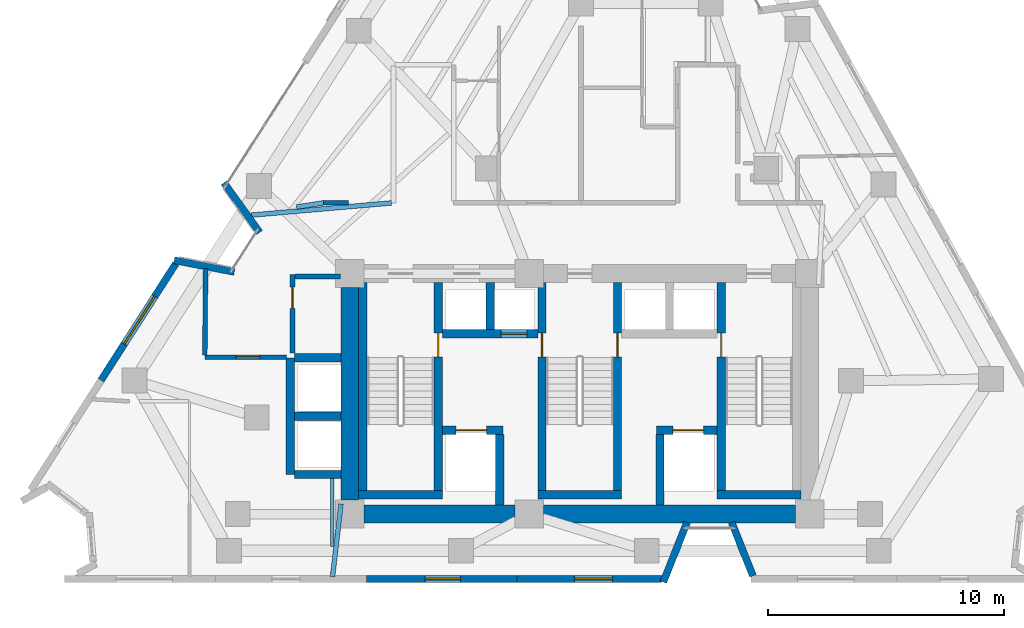
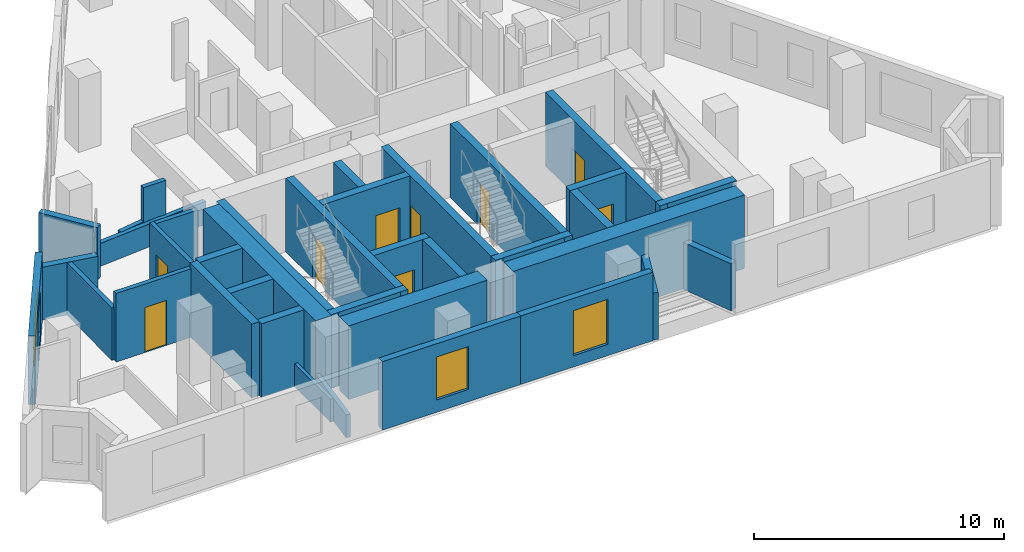
# One storey, part 5 of 10: 37 walls, 9 doors, 3 windows, 12 openings.
"""IFC4 building model written with IfcOpenShell, lengths in metres."""

from ifc_helpers import new_model, si_unit, direction, frame, frame_2d, origin, place, context, subcontext, project, spatial, rectangle, extrude, material, layer, layer_set, type_object, element, fill, save


model = new_model("IFC4")

# Units and contexts
model_context = context("Model", 3, precision=1e-05, world=origin(), true_north=direction((0.0, 1.0)))
body_context = subcontext(model_context, "Body", "Model", "MODEL_VIEW")
ifc_project = project(units=[si_unit("LENGTHUNIT", "METRE"), si_unit("AREAUNIT", "SQUARE_METRE"), si_unit("VOLUMEUNIT", "CUBIC_METRE"), si_unit("PLANEANGLEUNIT", "RADIAN"), si_unit("MASSUNIT", "GRAM", prefix="KILO")], contexts=[model_context])

# Site, building, storey
site_placement = place(None, origin())
site = spatial("IfcSite", under=ifc_project, at=site_placement, CompositionType="ELEMENT")
building_placement = place(site_placement, origin())
building = spatial("IfcBuilding", under=site, at=building_placement, Name="Almagre Mirador Tower", CompositionType="ELEMENT")
storey_placement = place(building_placement, frame((0.0, 0.0, 171.60009765625)))
storey = spatial("IfcBuildingStorey", under=building, at=storey_placement, Name="L44", CompositionType="ELEMENT", Elevation=171.60009765625)

# Walls
ifc_material_1 = material(Name="Precast concrete C50/60", Category="concrete")
ifc_layer_1 = layer(ifc_material_1, 0.300048828125)
ifc_layer_set_1 = layer_set([ifc_layer_1], Name="Precast concrete C50/60")
wall_type_1 = type_object("IfcWallType", Name="WAL-EXT-300", PredefinedType="SOLIDWALL", material=ifc_layer_set_1)
wall_1_placement = place(storey_placement, frame((20.103515625, 15.3125, 0.0), z_axis=(0.0, 0.0, 1.0), x_axis=(0.98176398898, -0.190103839891, 0.0)))
element("IfcWall", 1, at=wall_1_placement, inside=storey, type_object=wall_type_1, Name="L44 expressed almagre precast frame wall 01", PredefinedType="SOLIDWALL", context=body_context, shape_type="SweptSolid", body=[
    extrude(rectangle(XDim=2.59423828125, YDim=0.300048828125, at=frame_2d((1.297119140625, 0.0))), origin(), (0.0, 0.0, 1.0), 2.574951171875),
])
wall_2_placement = place(storey_placement, frame((23.72265625, 16.4921875, 0.0), z_axis=(0.0, 0.0, 1.0), x_axis=(-0.583178108206, 0.812344319922, 0.0)))
element("IfcWall", 2, at=wall_2_placement, inside=storey, type_object=wall_type_1, Name="L44 expressed almagre precast frame wall 02", PredefinedType="SOLIDWALL", context=body_context, shape_type="SweptSolid", body=[
    extrude(rectangle(XDim=2.593017578125, YDim=0.300048828125, at=frame_2d((1.29638671875, 0.0))), origin(), (0.0, 0.0, 1.0), 2.574951171875),
])
wall_3_placement = place(storey_placement, frame((44.64013671875, 1.93017578125, 0.0), z_axis=(0.0, 0.0, 1.0), x_axis=(-0.369476217581, 0.929240186734, 0.0)))
element("IfcWall", 3, at=wall_3_placement, inside=storey, type_object=wall_type_1, Name="L44 expressed almagre precast frame wall 23", PredefinedType="SOLIDWALL", context=body_context, shape_type="SweptSolid", body=[
    extrude(rectangle(XDim=2.441650390625, YDim=0.300048828125, at=frame_2d((1.220703125, 0.0))), origin(), (0.0, 0.0, 1.0), 2.2998046875),
])
wall_4_placement = place(storey_placement, frame((41.845947265625, 4.198974609375, 0.0), z_axis=(0.0, 0.0, 1.0), x_axis=(-0.369487569888, -0.929235672851, 0.0)))
element("IfcWall", 4, at=wall_4_placement, inside=storey, type_object=wall_type_1, Name="L44 expressed almagre precast frame wall 24", PredefinedType="SOLIDWALL", context=body_context, shape_type="SweptSolid", body=[
    extrude(rectangle(XDim=2.7216796875, YDim=0.300048828125, at=frame_2d((1.36083984375, 0.0))), origin(), (0.0, 0.0, 1.0), 2.2998046875),
])

# Wall, opening, window
wall_5_placement = place(storey_placement, frame((40.757080078125, 1.800048828125, 0.0), z_axis=(0.0, 0.0, 1.0), x_axis=(-1.0, 0.0, 0.0)))
wall_5 = element("IfcWall", 5, at=wall_5_placement, inside=storey, type_object=wall_type_1, Name="L44 expressed almagre precast frame wall 25", PredefinedType="SOLIDWALL", context=body_context, shape_type="SweptSolid", body=[
    extrude(rectangle(XDim=6.1181640625, YDim=0.300048828125, at=frame_2d((3.05908203125, 0.0))), origin(), (0.0, 0.0, 1.0), 3.349853515625),
])
opening_1_placement = place(wall_5_placement, frame((2.074951171875, 0.0, 0.550048828125)))
opening_1 = element("IfcOpeningElement", 6, at=opening_1_placement, cuts=wall_5, Name="Opening WN-06", PredefinedType="OPENING", context=body_context, shape_type="SweptSolid", body=[
    extrude(rectangle(XDim=1.60009765625, YDim=2.199951171875, at=frame_2d((0.800048828125, 1.10009765625))), frame((0.0, 0.159902, 0.0), z_axis=(0.0, -1.0, 0.0), x_axis=(1.0, 0.0, 0.0)), (0.0, 0.0, 1.0), 0.320049),
])
ifc_material_2 = material(Name="Dark solar-control laminated hurricane glass", Category="glass")
window_type_1 = type_object("IfcWindowType", Name="WIN-1600X2200", PartitioningType="DOUBLE_PANEL_VERTICAL", PredefinedType="WINDOW", material=ifc_material_2)
window_1_placement = place(opening_1_placement, origin())
window_1 = element("IfcWindow", 7, at=window_1_placement, inside=storey, type_object=window_type_1, Name="L44 recessed hurricane window L44-RST-B", OverallHeight=2.199951171875, OverallWidth=1.60009765625, PartitioningType="SINGLE_PANEL", PredefinedType="WINDOW", context=body_context, shape_type="SweptSolid", body=[
    extrude(rectangle(XDim=1.60009765625, YDim=2.199951171875, at=frame_2d((0.800048828125, 1.10009765625))), frame((0.0, 0.030029296875, 0.0), z_axis=(0.0, -1.0, 0.0), x_axis=(1.0, 0.0, 0.0)), (0.0, 0.0, 1.0), 0.06005859375),
])
fill(opening_1, window_1)

wall_6_placement = place(storey_placement, frame((34.638916015625, 1.800048828125, 0.0), z_axis=(0.0, 0.0, 1.0), x_axis=(-1.0, 0.0, 0.0)))
wall_6 = element("IfcWall", 8, at=wall_6_placement, inside=storey, type_object=wall_type_1, Name="L44 expressed almagre precast frame wall 26", PredefinedType="SOLIDWALL", context=body_context, shape_type="SweptSolid", body=[
    extrude(rectangle(XDim=6.392822265625, YDim=0.300048828125, at=frame_2d((3.1962890625, 0.0))), origin(), (0.0, 0.0, 1.0), 3.349853515625),
])
opening_2_placement = place(wall_6_placement, frame((2.39990234375, 0.0, 0.60009765625)))
opening_2 = element("IfcOpeningElement", 9, at=opening_2_placement, cuts=wall_6, Name="Opening WN-03", PredefinedType="OPENING", context=body_context, shape_type="SweptSolid", body=[
    extrude(rectangle(XDim=1.5, YDim=2.10009765625, at=frame_2d((0.75, 1.050048828125))), frame((0.0, 0.159902, 0.0), z_axis=(0.0, -1.0, 0.0), x_axis=(1.0, 0.0, 0.0)), (0.0, 0.0, 1.0), 0.320049),
])
ifc_material_3 = material(Name="Dark solar-control laminated hurricane glass", Category="glass")
window_type_2 = type_object("IfcWindowType", Name="WIN-1500X2100", PartitioningType="DOUBLE_PANEL_VERTICAL", PredefinedType="WINDOW", material=ifc_material_3)
window_2_placement = place(opening_2_placement, origin())
window_2 = element("IfcWindow", 10, at=window_2_placement, inside=storey, type_object=window_type_2, Name="L44 recessed hurricane window L44-RST-B", OverallHeight=2.10009765625, OverallWidth=1.5, PartitioningType="SINGLE_PANEL", PredefinedType="WINDOW", context=body_context, shape_type="SweptSolid", body=[
    extrude(rectangle(XDim=1.5, YDim=2.10009765625, at=frame_2d((0.75, 1.050048828125))), frame((0.0, 0.030029296875, 0.0), z_axis=(0.0, -1.0, 0.0), x_axis=(1.0, 0.0, 0.0)), (0.0, 0.0, 1.0), 0.06005859375),
])
fill(opening_2, window_2)

wall_7_placement = place(storey_placement, frame((16.99951171875, 10.22705078125, 0.0), z_axis=(0.0, 0.0, 1.0), x_axis=(0.539500668401, 0.841985171363, 0.0)))
wall_7 = element("IfcWall", 11, at=wall_7_placement, inside=storey, type_object=wall_type_1, Name="L44 expressed almagre precast frame wall 34", PredefinedType="SOLIDWALL", context=body_context, shape_type="SweptSolid", body=[
    extrude(rectangle(XDim=5.873291015625, YDim=0.300048828125, at=frame_2d((2.9365234375, 0.0))), origin(), (0.0, 0.0, 1.0), 3.349853515625),
])
opening_3_placement = place(wall_7_placement, frame((1.824951171875, 0.0, 0.60009765625)))
opening_3 = element("IfcOpeningElement", 12, at=opening_3_placement, cuts=wall_7, Name="Opening WN-02", PredefinedType="OPENING", context=body_context, shape_type="SweptSolid", body=[
    extrude(rectangle(XDim=2.39990234375, YDim=2.10009765625, at=frame_2d((1.199951171875, 1.050048828125))), frame((0.0, 0.159902, 0.0), z_axis=(0.0, -1.0, 0.0), x_axis=(1.0, 0.0, 0.0)), (0.0, 0.0, 1.0), 0.320049),
])
ifc_material_4 = material(Name="Dark solar-control laminated hurricane glass", Category="glass")
window_type_3 = type_object("IfcWindowType", Name="WIN-2400X2100", PartitioningType="TRIPLE_PANEL_VERTICAL", PredefinedType="WINDOW", material=ifc_material_4)
window_3_placement = place(opening_3_placement, origin())
window_3 = element("IfcWindow", 13, at=window_3_placement, inside=storey, type_object=window_type_3, Name="L44 recessed hurricane window L44-UA-HB", OverallHeight=2.10009765625, OverallWidth=2.39990234375, PartitioningType="SINGLE_PANEL", PredefinedType="WINDOW", context=body_context, shape_type="SweptSolid", body=[
    extrude(rectangle(XDim=2.39990234375, YDim=2.10009765625, at=frame_2d((1.199951171875, 1.050048828125))), frame((0.0, 0.030029296875, 0.0), z_axis=(0.0, -1.0, 0.0), x_axis=(1.0, 0.0, 0.0)), (0.0, 0.0, 1.0), 0.06005859375),
])
fill(opening_3, window_3)

# Wall
ifc_material_5 = material(Name="Gypsum acoustic stud partition", Category="other")
ifc_layer_2 = layer(ifc_material_5, 0.14990234375)
ifc_layer_set_2 = layer_set([ifc_layer_2], Name="Gypsum acoustic stud partition")
wall_type_2 = type_object("IfcWallType", Name="WAL-PRT-150-STD", PredefinedType="PARTITIONING", material=ifc_layer_set_2)
wall_8_placement = place(storey_placement, frame((26.800048828125, 3.166015625, 0.0), z_axis=(0.0, 0.0, 1.0), x_axis=(0.0, 1.0, 0.0)))
element("IfcWall", 14, at=wall_8_placement, inside=storey, type_object=wall_type_2, Name="L44 interior partition 079", PredefinedType="PARTITIONING", context=body_context, shape_type="SweptSolid", body=[
    extrude(rectangle(XDim=2.89892578125, YDim=0.14990234375, at=frame_2d((1.449462890625, 0.0))), origin(), (0.0, 0.0, 1.0), 1.119873046875),
])

# Wall, opening, door
ifc_material_6 = material(Name="Gypsum acoustic stud partition", Category="other")
ifc_layer_3 = layer(ifc_material_6, 0.199951171875)
ifc_layer_set_3 = layer_set([ifc_layer_3], Name="Gypsum acoustic stud partition")
wall_type_3 = type_object("IfcWallType", Name="WAL-PRT-200-EI60", PredefinedType="PARTITIONING", material=ifc_layer_set_3)
wall_9_placement = place(storey_placement, frame((25.1201171875, 11.3701171875, 0.0), z_axis=(0.0, 0.0, 1.0), x_axis=(0.0, 1.0, 0.0)))
wall_9 = element("IfcWall", 15, at=wall_9_placement, inside=storey, type_object=wall_type_3, Name="L44 core ancillary west wall", PredefinedType="PARTITIONING", context=body_context, shape_type="SweptSolid", body=[
    extrude(rectangle(XDim=3.33984375, YDim=0.199951171875, at=frame_2d((1.669921875, 0.0))), origin(), (0.0, 0.0, 1.0), 3.349853515625),
])
opening_4_placement = place(wall_9_placement, frame((1.89990234375, 0.0, 0.0)))
opening_4 = element("IfcOpeningElement", 16, at=opening_4_placement, cuts=wall_9, Name="Opening ID-03", PredefinedType="OPENING", context=body_context, shape_type="SweptSolid", body=[
    extrude(rectangle(XDim=0.89990234375, YDim=2.10009765625, at=frame_2d((0.449951171875, 1.050048828125))), frame((0.0, 0.110098, 0.0), z_axis=(0.0, -1.0, 0.0), x_axis=(1.0, 0.0, 0.0)), (0.0, 0.0, 1.0), 0.219951),
])
ifc_material_7 = material(Name="Fire-rated hollow steel", Category="steel")
door_type_1 = type_object("IfcDoorType", Name="DOR-FD60-900X2100", OperationType="NOTDEFINED", PredefinedType="DOOR", material=ifc_material_7)
door_1_placement = place(opening_4_placement, origin())
door_1 = element("IfcDoor", 17, at=door_1_placement, inside=storey, type_object=door_type_1, Name="DR-1404 L44 core ancillary corridor door", OperationType="SINGLE_SWING_RIGHT", OverallHeight=2.10009765625, OverallWidth=0.89990234375, PredefinedType="DOOR", context=body_context, shape_type="SweptSolid", body=[
    extrude(rectangle(XDim=0.89990234375, YDim=2.10009765625, at=frame_2d((0.449951171875, 1.050048828125))), frame((0.0, 0.02490234375, 0.0), z_axis=(0.0, -1.0, 0.0), x_axis=(1.0, 0.0, 0.0)), (0.0, 0.0, 1.0), 0.050048828125),
])
fill(opening_4, door_1)

# Wall
wall_10_placement = place(storey_placement, frame((25.22509765625, 14.6201171875, 0.0), z_axis=(0.0, 0.0, 1.0), x_axis=(1.0, 0.0, 0.0)))
element("IfcWall", 18, at=wall_10_placement, inside=storey, type_object=wall_type_3, Name="L44 core ancillary north wall", PredefinedType="PARTITIONING", context=body_context, shape_type="SweptSolid", body=[
    extrude(rectangle(XDim=1.934814453125, YDim=0.199951171875, at=frame_2d((0.96728515625, 0.0))), origin(), (0.0, 0.0, 1.0), 3.349853515625),
])

# Wall, opening, door
wall_11_placement = place(storey_placement, frame((21.39990234375, 11.199951171875, 0.0), z_axis=(0.0, 0.0, 1.0), x_axis=(1.0, 0.0, 0.0)))
wall_11 = element("IfcWall", 19, at=wall_11_placement, inside=storey, type_object=wall_type_3, Name="L44 interior partition 002", PredefinedType="PARTITIONING", context=body_context, shape_type="SweptSolid", body=[
    extrude(rectangle(XDim=3.46923828125, YDim=0.199951171875, at=frame_2d((1.734619140625, 0.0))), origin(), (0.0, 0.0, 1.0), 3.349853515625),
])
opening_5_placement = place(wall_11_placement, frame((1.334716796875, 0.0, 0.0)))
opening_5 = element("IfcOpeningElement", 20, at=opening_5_placement, cuts=wall_11, Name="Opening ID-01", PredefinedType="OPENING", context=body_context, shape_type="SweptSolid", body=[
    extrude(rectangle(XDim=1.0, YDim=2.199951171875, at=frame_2d((0.5, 1.10009765625))), frame((0.0, 0.110098, 0.0), z_axis=(0.0, -1.0, 0.0), x_axis=(1.0, 0.0, 0.0)), (0.0, 0.0, 1.0), 0.219951),
])
ifc_material_8 = material(Name="Fire-rated walnut timber", Category="wood")
door_type_2 = type_object("IfcDoorType", Name="DOR-FD60-1000X2200", OperationType="NOTDEFINED", PredefinedType="DOOR", material=ifc_material_8)
door_2_placement = place(opening_5_placement, origin())
door_2 = element("IfcDoor", 21, at=door_2_placement, inside=storey, type_object=door_type_2, Name="DR-1409 L44 interior door L44-RCOR to L44-UA-LV", OperationType="SINGLE_SWING_LEFT", OverallHeight=2.199951171875, OverallWidth=1.0, PredefinedType="DOOR", context=body_context, shape_type="SweptSolid", body=[
    extrude(rectangle(XDim=1.0, YDim=2.199951171875, at=frame_2d((0.5, 1.10009765625))), frame((0.0, 0.02490234375, 0.0), z_axis=(0.0, -1.0, 0.0), x_axis=(1.0, 0.0, 0.0)), (0.0, 0.0, 1.0), 0.050048828125),
])
fill(opening_5, door_2)

# Walls
wall_12_placement = place(storey_placement, frame((26.43994140625, 17.75, 0.0), z_axis=(0.0, 0.0, 1.0), x_axis=(-0.987406566655, -0.158203262061, 0.0)))
element("IfcWall", 22, at=wall_12_placement, inside=storey, type_object=wall_type_3, Name="L44 interior partition 007", PredefinedType="PARTITIONING", context=body_context, shape_type="SweptSolid", body=[
    extrude(rectangle(XDim=1.16357421875, YDim=0.199951171875, at=frame_2d((0.581787109375, 0.0))), origin(), (0.0, 0.0, 1.0), 1.119873046875),
])
wall_13_placement = place(storey_placement, frame((27.487060546875, 17.75, 0.0), z_axis=(0.0, 0.0, 1.0), x_axis=(-1.0, 0.0, 0.0)))
element("IfcWall", 23, at=wall_13_placement, inside=storey, type_object=wall_type_3, Name="L44 interior partition 009", PredefinedType="PARTITIONING", context=body_context, shape_type="SweptSolid", body=[
    extrude(rectangle(XDim=1.047119140625, YDim=0.199951171875, at=frame_2d((0.5234375, 0.0))), origin(), (0.0, 0.0, 1.0), 2.786865234375),
])
wall_14_placement = place(storey_placement, frame((26.81591796875, 1.89892578125, 0.0), z_axis=(0.0, 0.0, 1.0), x_axis=(0.115777166212, 0.993275212509, 0.0)))
element("IfcWall", 24, at=wall_14_placement, inside=storey, type_object=wall_type_3, Name="L44 interior partition 033", PredefinedType="PARTITIONING", context=body_context, shape_type="SweptSolid", body=[
    extrude(rectangle(XDim=3.101806640625, YDim=0.199951171875, at=frame_2d((1.55078125, 0.0))), origin(), (0.0, 0.0, 1.0), 1.119873046875),
])
wall_15_placement = place(storey_placement, frame((21.43408203125, 14.9560546875, 0.0), z_axis=(0.0, 0.0, 1.0), x_axis=(-0.009176976053, -0.999957890669, 0.0)))
element("IfcWall", 25, at=wall_15_placement, inside=storey, type_object=wall_type_3, Name="L44 interior partition 073", PredefinedType="PARTITIONING", context=body_context, shape_type="SweptSolid", body=[
    extrude(rectangle(XDim=3.67138671875, YDim=0.199951171875, at=frame_2d((1.835693359375, 0.0))), origin(), (0.0, 0.0, 1.0), 2.56982421875),
])
wall_16_placement = place(storey_placement, frame((29.315185546875, 17.742919921875, 0.0), z_axis=(0.0, 0.0, 1.0), x_axis=(-0.996247169733, -0.086553895343, 0.0)))
element("IfcWall", 26, at=wall_16_placement, inside=storey, type_object=wall_type_3, Name="L44 interior partition 075", PredefinedType="PARTITIONING", context=body_context, shape_type="SweptSolid", body=[
    extrude(rectangle(XDim=5.982666015625, YDim=0.199951171875, at=frame_2d((2.9912109375, 0.0))), origin(), (0.0, 0.0, 1.0), 1.119873046875),
])
ifc_material_9 = material(Name="Concrete C60/75", Category="concrete")
ifc_layer_4 = layer(ifc_material_9, 0.35009765625)
ifc_layer_set_4 = layer_set([ifc_layer_4], Name="Concrete C60/75")
wall_type_4 = type_object("IfcWallType", Name="WAL-SHF-350", PredefinedType="SOLIDWALL", material=ifc_layer_set_4)
wall_17_placement = place(storey_placement, frame((28.10009765625, 5.199951171875, 0.0), z_axis=(0.0, 0.0, 1.0), x_axis=(0.0, 1.0, 0.0)))
element("IfcWall", 27, at=wall_17_placement, inside=storey, type_object=wall_type_4, Name="L44 shaft wall ST1-W", PredefinedType="SOLIDWALL", context=body_context, shape_type="SweptSolid", body=[
    extrude(rectangle(XDim=9.175048828125, YDim=0.35009765625, at=frame_2d((4.58740234375, 0.0))), origin(), (0.0, 0.0, 1.0), 3.599853515625),
])

# Wall, opening, door
wall_18_placement = place(storey_placement, frame((31.300048828125, 5.199951171875, 0.0), z_axis=(0.0, 0.0, 1.0), x_axis=(0.0, 1.0, 0.0)))
wall_18 = element("IfcWall", 28, at=wall_18_placement, inside=storey, type_object=wall_type_4, Name="L44 shaft wall ST1-E", PredefinedType="SOLIDWALL", context=body_context, shape_type="SweptSolid", body=[
    extrude(rectangle(XDim=9.175048828125, YDim=0.35009765625, at=frame_2d((4.58740234375, 0.0))), origin(), (0.0, 0.0, 1.0), 3.599853515625),
])
opening_6_placement = place(wall_18_placement, frame((6.02001953125, 0.0, 0.0)))
opening_6 = element("IfcOpeningElement", 29, at=opening_6_placement, cuts=wall_18, Name="Opening FD-01", PredefinedType="OPENING", context=body_context, shape_type="SweptSolid", body=[
    extrude(rectangle(XDim=1.0, YDim=2.14990234375, at=frame_2d((0.5, 1.074951171875))), frame((0.0, 0.185049, 0.0), z_axis=(0.0, -1.0, 0.0), x_axis=(1.0, 0.0, 0.0)), (0.0, 0.0, 1.0), 0.370098),
])
ifc_material_10 = material(Name="Fire-rated hollow steel", Category="steel")
door_type_3 = type_object("IfcDoorType", Name="DOR-FFL-1000X2150", OperationType="NOTDEFINED", PredefinedType="DOOR", material=ifc_material_10)
door_3_placement = place(opening_6_placement, origin())
door_3 = element("IfcDoor", 30, at=door_3_placement, inside=storey, type_object=door_type_3, Name="DR-1405 L44 FFL1-ST1 smokeproof door", OperationType="SINGLE_SWING_RIGHT", OverallHeight=2.14990234375, OverallWidth=1.0, PredefinedType="DOOR", context=body_context, shape_type="SweptSolid", body=[
    extrude(rectangle(XDim=1.0, YDim=2.14990234375, at=frame_2d((0.5, 1.074951171875))), frame((0.0, 0.02490234375, 0.0), z_axis=(0.0, -1.0, 0.0), x_axis=(1.0, 0.0, 0.0)), (0.0, 0.0, 1.0), 0.050048828125),
])
fill(opening_6, door_3)

# Wall
wall_19_placement = place(storey_placement, frame((27.925048828125, 5.375, 0.0), z_axis=(0.0, 0.0, 1.0), x_axis=(1.0, 0.0, 0.0)))
element("IfcWall", 31, at=wall_19_placement, inside=storey, type_object=wall_type_4, Name="L44 shaft wall ST1-S", PredefinedType="SOLIDWALL", context=body_context, shape_type="SweptSolid", body=[
    extrude(rectangle(XDim=3.550048828125, YDim=0.35009765625, at=frame_2d((1.77490234375, 0.0))), origin(), (0.0, 0.0, 1.0), 3.599853515625),
])

# Wall, opening, door
wall_20_placement = place(storey_placement, frame((35.699951171875, 5.199951171875, 0.0), z_axis=(0.0, 0.0, 1.0), x_axis=(0.0, 1.0, 0.0)))
wall_20 = element("IfcWall", 32, at=wall_20_placement, inside=storey, type_object=wall_type_4, Name="L44 shaft wall ST2-W", PredefinedType="SOLIDWALL", context=body_context, shape_type="SweptSolid", body=[
    extrude(rectangle(XDim=9.175048828125, YDim=0.35009765625, at=frame_2d((4.58740234375, 0.0))), origin(), (0.0, 0.0, 1.0), 3.599853515625),
])
opening_7_placement = place(wall_20_placement, frame((6.02001953125, 0.0, 0.0)))
opening_7 = element("IfcOpeningElement", 33, at=opening_7_placement, cuts=wall_20, Name="Opening FD-01", PredefinedType="OPENING", context=body_context, shape_type="SweptSolid", body=[
    extrude(rectangle(XDim=1.0, YDim=2.14990234375, at=frame_2d((0.5, 1.074951171875))), frame((0.0, 0.185049, 0.0), z_axis=(0.0, -1.0, 0.0), x_axis=(1.0, 0.0, 0.0)), (0.0, 0.0, 1.0), 0.370098),
])
door_4_placement = place(opening_7_placement, origin())
door_4 = element("IfcDoor", 34, at=door_4_placement, inside=storey, type_object=door_type_3, Name="DR-1406 L44 FFL1-ST2 smokeproof door", OperationType="SINGLE_SWING_LEFT", OverallHeight=2.14990234375, OverallWidth=1.0, PredefinedType="DOOR", context=body_context, shape_type="SweptSolid", body=[
    extrude(rectangle(XDim=1.0, YDim=2.14990234375, at=frame_2d((0.5, 1.074951171875))), frame((0.0, 0.02490234375, 0.0), z_axis=(0.0, -1.0, 0.0), x_axis=(1.0, 0.0, 0.0)), (0.0, 0.0, 1.0), 0.050048828125),
])
fill(opening_7, door_4)

wall_21_placement = place(storey_placement, frame((38.89990234375, 5.199951171875, 0.0), z_axis=(0.0, 0.0, 1.0), x_axis=(0.0, 1.0, 0.0)))
wall_21 = element("IfcWall", 35, at=wall_21_placement, inside=storey, type_object=wall_type_4, Name="L44 shaft wall ST2-E", PredefinedType="SOLIDWALL", context=body_context, shape_type="SweptSolid", body=[
    extrude(rectangle(XDim=9.175048828125, YDim=0.35009765625, at=frame_2d((4.58740234375, 0.0))), origin(), (0.0, 0.0, 1.0), 3.599853515625),
])
opening_8_placement = place(wall_21_placement, frame((6.02001953125, 0.0, 0.0)))
opening_8 = element("IfcOpeningElement", 36, at=opening_8_placement, cuts=wall_21, Name="Opening FD-01", PredefinedType="OPENING", context=body_context, shape_type="SweptSolid", body=[
    extrude(rectangle(XDim=1.0, YDim=2.14990234375, at=frame_2d((0.5, 1.074951171875))), frame((0.0, 0.185049, 0.0), z_axis=(0.0, -1.0, 0.0), x_axis=(1.0, 0.0, 0.0)), (0.0, 0.0, 1.0), 0.370098),
])
door_5_placement = place(opening_8_placement, origin())
door_5 = element("IfcDoor", 37, at=door_5_placement, inside=storey, type_object=door_type_3, Name="DR-1407 L44 FFL2-ST2 smokeproof door", OperationType="SINGLE_SWING_RIGHT", OverallHeight=2.14990234375, OverallWidth=1.0, PredefinedType="DOOR", context=body_context, shape_type="SweptSolid", body=[
    extrude(rectangle(XDim=1.0, YDim=2.14990234375, at=frame_2d((0.5, 1.074951171875))), frame((0.0, 0.02490234375, 0.0), z_axis=(0.0, -1.0, 0.0), x_axis=(1.0, 0.0, 0.0)), (0.0, 0.0, 1.0), 0.050048828125),
])
fill(opening_8, door_5)

# Wall
wall_22_placement = place(storey_placement, frame((35.52490234375, 5.375, 0.0), z_axis=(0.0, 0.0, 1.0), x_axis=(1.0, 0.0, 0.0)))
element("IfcWall", 38, at=wall_22_placement, inside=storey, type_object=wall_type_4, Name="L44 shaft wall ST2-S", PredefinedType="SOLIDWALL", context=body_context, shape_type="SweptSolid", body=[
    extrude(rectangle(XDim=3.550048828125, YDim=0.35009765625, at=frame_2d((1.77490234375, 0.0))), origin(), (0.0, 0.0, 1.0), 3.599853515625),
])

# Wall, opening, door
wall_23_placement = place(storey_placement, frame((43.300048828125, 5.199951171875, 0.0), z_axis=(0.0, 0.0, 1.0), x_axis=(0.0, 1.0, 0.0)))
wall_23 = element("IfcWall", 39, at=wall_23_placement, inside=storey, type_object=wall_type_4, Name="L44 shaft wall ST3-W", PredefinedType="SOLIDWALL", context=body_context, shape_type="SweptSolid", body=[
    extrude(rectangle(XDim=9.175048828125, YDim=0.35009765625, at=frame_2d((4.58740234375, 0.0))), origin(), (0.0, 0.0, 1.0), 3.599853515625),
])
opening_9_placement = place(wall_23_placement, frame((6.02001953125, 0.0, 0.0)))
opening_9 = element("IfcOpeningElement", 40, at=opening_9_placement, cuts=wall_23, Name="Opening FD-01", PredefinedType="OPENING", context=body_context, shape_type="SweptSolid", body=[
    extrude(rectangle(XDim=1.0, YDim=2.14990234375, at=frame_2d((0.5, 1.074951171875))), frame((0.0, 0.185049, 0.0), z_axis=(0.0, -1.0, 0.0), x_axis=(1.0, 0.0, 0.0)), (0.0, 0.0, 1.0), 0.370098),
])
door_6_placement = place(opening_9_placement, origin())
door_6 = element("IfcDoor", 41, at=door_6_placement, inside=storey, type_object=door_type_3, Name="DR-1408 L44 FFL2-ST3 smokeproof door", OperationType="SINGLE_SWING_LEFT", OverallHeight=2.14990234375, OverallWidth=1.0, PredefinedType="DOOR", context=body_context, shape_type="SweptSolid", body=[
    extrude(rectangle(XDim=1.0, YDim=2.14990234375, at=frame_2d((0.5, 1.074951171875))), frame((0.0, 0.02490234375, 0.0), z_axis=(0.0, -1.0, 0.0), x_axis=(1.0, 0.0, 0.0)), (0.0, 0.0, 1.0), 0.050048828125),
])
fill(opening_9, door_6)

# Wall
wall_24_placement = place(storey_placement, frame((43.125, 5.375, 0.0), z_axis=(0.0, 0.0, 1.0), x_axis=(1.0, 0.0, 0.0)))
element("IfcWall", 42, at=wall_24_placement, inside=storey, type_object=wall_type_4, Name="L44 shaft wall ST3-S", PredefinedType="SOLIDWALL", context=body_context, shape_type="SweptSolid", body=[
    extrude(rectangle(XDim=3.550048828125, YDim=0.35009765625, at=frame_2d((1.77490234375, 0.0))), origin(), (0.0, 0.0, 1.0), 3.599853515625),
])

# Wall, opening, door
wall_25_placement = place(storey_placement, frame((31.47509765625, 8.10009765625, 0.0), z_axis=(0.0, 0.0, 1.0), x_axis=(1.0, 0.0, 0.0)))
wall_25 = element("IfcWall", 43, at=wall_25_placement, inside=storey, type_object=wall_type_4, Name="L44 shaft wall FSAE1-N", PredefinedType="SOLIDWALL", context=body_context, shape_type="SweptSolid", body=[
    extrude(rectangle(XDim=2.574951171875, YDim=0.35009765625, at=frame_2d((1.28759765625, 0.0))), origin(), (0.0, 0.0, 1.0), 3.599853515625),
])
opening_10_placement = place(wall_25_placement, frame((0.574951171875, 0.0, 0.0)))
opening_10 = element("IfcOpeningElement", 44, at=opening_10_placement, cuts=wall_25, Name="Opening LD-03", PredefinedType="OPENING", context=body_context, shape_type="SweptSolid", body=[
    extrude(rectangle(XDim=1.300048828125, YDim=2.25, at=frame_2d((0.64990234375, 1.125))), frame((0.0, 0.185049, 0.0), z_axis=(0.0, -1.0, 0.0), x_axis=(1.0, 0.0, 0.0)), (0.0, 0.0, 1.0), 0.370098),
])
ifc_material_11 = material(Name="Hollow stainless steel", Category="steel")
door_type_4 = type_object("IfcDoorType", Name="DOR-LD-1300X2250", OperationType="DOUBLE_DOOR_SLIDING", PredefinedType="DOOR", material=ifc_material_11)
door_7_placement = place(opening_10_placement, origin())
door_7 = element("IfcDoor", 45, at=door_7_placement, inside=storey, type_object=door_type_4, Name="DR-1421 L44 FSAE-1 lift landing door", OperationType="DOUBLE_DOOR_SLIDING", OverallHeight=2.25, OverallWidth=1.300048828125, PredefinedType="DOOR", context=body_context, shape_type="SweptSolid", body=[
    extrude(rectangle(XDim=1.300048828125, YDim=2.25, at=frame_2d((0.64990234375, 1.125))), frame((0.0, 0.02490234375, 0.0), z_axis=(0.0, -1.0, 0.0), x_axis=(1.0, 0.0, 0.0)), (0.0, 0.0, 1.0), 0.050048828125),
])
fill(opening_10, door_7)

wall_26_placement = place(storey_placement, frame((40.550048828125, 8.10009765625, 0.0), z_axis=(0.0, 0.0, 1.0), x_axis=(1.0, 0.0, 0.0)))
wall_26 = element("IfcWall", 46, at=wall_26_placement, inside=storey, type_object=wall_type_4, Name="L44 shaft wall FSAE2-N", PredefinedType="SOLIDWALL", context=body_context, shape_type="SweptSolid", body=[
    extrude(rectangle(XDim=2.574951171875, YDim=0.35009765625, at=frame_2d((1.28759765625, 0.0))), origin(), (0.0, 0.0, 1.0), 3.599853515625),
])
opening_11_placement = place(wall_26_placement, frame((0.699951171875, 0.0, 0.0)))
opening_11 = element("IfcOpeningElement", 47, at=opening_11_placement, cuts=wall_26, Name="Opening LD-03", PredefinedType="OPENING", context=body_context, shape_type="SweptSolid", body=[
    extrude(rectangle(XDim=1.300048828125, YDim=2.25, at=frame_2d((0.64990234375, 1.125))), frame((0.0, 0.185049, 0.0), z_axis=(0.0, -1.0, 0.0), x_axis=(1.0, 0.0, 0.0)), (0.0, 0.0, 1.0), 0.370098),
])
door_8_placement = place(opening_11_placement, origin())
door_8 = element("IfcDoor", 48, at=door_8_placement, inside=storey, type_object=door_type_4, Name="DR-1422 L44 FSAE-2 lift landing door", OperationType="DOUBLE_DOOR_SLIDING", OverallHeight=2.25, OverallWidth=1.300048828125, PredefinedType="DOOR", context=body_context, shape_type="SweptSolid", body=[
    extrude(rectangle(XDim=1.300048828125, YDim=2.25, at=frame_2d((0.64990234375, 1.125))), frame((0.0, 0.02490234375, 0.0), z_axis=(0.0, -1.0, 0.0), x_axis=(1.0, 0.0, 0.0)), (0.0, 0.0, 1.0), 0.050048828125),
])
fill(opening_11, door_8)

# Walls
for number, where, z_axis, x_axis, name in (
    (49, (33.89990234375, 4.925048828125, 0.0), (0.0, 0.0, 1.0), (0.0, 1.0, 0.0), "L44 shaft wall FSAE1-E"),
    (50, (40.699951171875, 4.925048828125, 0.0), (0.0, 0.0, 1.0), (0.0, 1.0, 0.0), "L44 shaft wall FSAE2-W"),
):
    element("IfcWall", number, at=place(storey_placement, frame(where, z_axis=z_axis, x_axis=x_axis)), inside=storey, type_object=wall_type_4, Name=name, PredefinedType="SOLIDWALL", context=body_context, shape_type="SweptSolid", body=[
        extrude(rectangle(XDim=3.0, YDim=0.35009765625, at=frame_2d((1.5, 0.0))), origin(), (0.0, 0.0, 1.0), 3.599853515625),
    ])

# Wall, opening, door
wall_27_placement = place(storey_placement, frame((31.47509765625, 12.199951171875, 0.0), z_axis=(0.0, 0.0, 1.0), x_axis=(1.0, 0.0, 0.0)))
wall_27 = element("IfcWall", 51, at=wall_27_placement, inside=storey, type_object=wall_type_4, Name="L44 shaft wall PLM-S", PredefinedType="SOLIDWALL", context=body_context, shape_type="SweptSolid", body=[
    extrude(rectangle(XDim=4.0498046875, YDim=0.35009765625, at=frame_2d((2.02490234375, 0.0))), origin(), (0.0, 0.0, 1.0), 3.599853515625),
])
opening_12_placement = place(wall_27_placement, frame((2.47509765625, 0.0, 0.0)))
opening_12 = element("IfcOpeningElement", 52, at=opening_12_placement, cuts=wall_27, Name="Opening LD-01", PredefinedType="OPENING", context=body_context, shape_type="SweptSolid", body=[
    extrude(rectangle(XDim=1.10009765625, YDim=2.199951171875, at=frame_2d((0.550048828125, 1.10009765625))), frame((0.0, 0.185049, 0.0), z_axis=(0.0, -1.0, 0.0), x_axis=(1.0, 0.0, 0.0)), (0.0, 0.0, 1.0), 0.370098),
])
ifc_material_12 = material(Name="Hollow stainless steel", Category="steel")
door_type_5 = type_object("IfcDoorType", Name="DOR-LD-1100X2200", OperationType="DOUBLE_DOOR_SLIDING", PredefinedType="DOOR", material=ifc_material_12)
door_9_placement = place(opening_12_placement, origin())
door_9 = element("IfcDoor", 53, at=door_9_placement, inside=storey, type_object=door_type_5, Name="DR-1424 L44 PL-M2 lift landing door", OperationType="DOUBLE_DOOR_SLIDING", OverallHeight=2.199951171875, OverallWidth=1.10009765625, PredefinedType="DOOR", context=body_context, shape_type="SweptSolid", body=[
    extrude(rectangle(XDim=1.10009765625, YDim=2.199951171875, at=frame_2d((0.550048828125, 1.10009765625))), frame((0.0, 0.02490234375, 0.0), z_axis=(0.0, -1.0, 0.0), x_axis=(1.0, 0.0, 0.0)), (0.0, 0.0, 1.0), 0.050048828125),
])
fill(opening_12, door_9)

# Walls
wall_28_placement = place(storey_placement, frame((33.5, 12.375, 0.0), z_axis=(0.0, 0.0, 1.0), x_axis=(0.0, 1.0, 0.0)))
element("IfcWall", 54, at=wall_28_placement, inside=storey, type_object=wall_type_4, Name="L44 shaft wall PLM-M", PredefinedType="SOLIDWALL", context=body_context, shape_type="SweptSolid", body=[
    extrude(rectangle(XDim=2.0, YDim=0.35009765625, at=frame_2d((1.0, 0.0))), origin(), (0.0, 0.0, 1.0), 3.599853515625),
])
wall_29_placement = place(storey_placement, frame((25.02490234375, 6.22509765625, 0.0), z_axis=(0.0, 0.0, 1.0), x_axis=(0.0, 1.0, 0.0)))
element("IfcWall", 55, at=wall_29_placement, inside=storey, type_object=wall_type_4, Name="L44 shaft wall OL-W", PredefinedType="SOLIDWALL", context=body_context, shape_type="SweptSolid", body=[
    extrude(rectangle(XDim=4.949951171875, YDim=0.35009765625, at=frame_2d((2.47509765625, 0.0))), origin(), (0.0, 0.0, 1.0), 3.599853515625),
])
for number, where, z_axis, x_axis, name in (
    (56, (25.199951171875, 6.22509765625, 0.0), (0.0, 0.0, 1.0), (1.0, 0.0, 0.0), "L44 shaft wall OL-S"),
    (57, (25.199951171875, 8.699951171875, 0.0), (0.0, 0.0, 1.0), (1.0, 0.0, 0.0), "L44 shaft wall OL-M"),
    (58, (25.199951171875, 11.175048828125, 0.0), (0.0, 0.0, 1.0), (1.0, 0.0, 0.0), "L44 shaft wall OL-N"),
):
    element("IfcWall", number, at=place(storey_placement, frame(where, z_axis=z_axis, x_axis=x_axis)), inside=storey, type_object=wall_type_4, Name=name, PredefinedType="SOLIDWALL", context=body_context, shape_type="SweptSolid", body=[
        extrude(rectangle(XDim=1.97509765625, YDim=0.35009765625, at=frame_2d((0.987548828125, 0.0))), origin(), (0.0, 0.0, 1.0), 3.599853515625),
    ])
ifc_material_13 = material(Name="Concrete C60/75", Category="concrete")
ifc_layer_5 = layer(ifc_material_13, 0.75)
ifc_layer_set_5 = layer_set([ifc_layer_5], Name="Concrete C60/75")
wall_type_5 = type_object("IfcWallType", Name="WAL-SHR-750", PredefinedType="SHEAR", material=ifc_layer_set_5)
wall_30_placement = place(storey_placement, frame((28.14990234375, 4.550048828125, 0.0), z_axis=(0.0, 0.0, 1.0), x_axis=(1.0, 0.0, 0.0)))
element("IfcWall", 59, at=wall_30_placement, inside=storey, type_object=wall_type_5, Name="L44 core shear wall S1", PredefinedType="SHEAR", context=body_context, shape_type="SweptSolid", body=[
    extrude(rectangle(XDim=6.400146484375, YDim=0.75, at=frame_2d((3.2001953125, 0.0))), origin(), (0.0, 0.0, 1.0), 3.599853515625),
])
wall_31_placement = place(storey_placement, frame((35.75, 4.550048828125, 0.0), z_axis=(0.0, 0.0, 1.0), x_axis=(1.0, 0.0, 0.0)))
element("IfcWall", 60, at=wall_31_placement, inside=storey, type_object=wall_type_5, Name="L44 core shear wall S2", PredefinedType="SHEAR", context=body_context, shape_type="SweptSolid", body=[
    extrude(rectangle(XDim=10.699951171875, YDim=0.75, at=frame_2d((5.35009765625, 0.0))), origin(), (0.0, 0.0, 1.0), 3.599853515625),
])
wall_32_placement = place(storey_placement, frame((27.550048828125, 5.14990234375, 0.0), z_axis=(0.0, 0.0, 1.0), x_axis=(0.0, 1.0, 0.0)))
element("IfcWall", 61, at=wall_32_placement, inside=storey, type_object=wall_type_5, Name="L44 core shear wall W1", PredefinedType="SHEAR", context=body_context, shape_type="SweptSolid", body=[
    extrude(rectangle(XDim=9.0, YDim=0.75, at=frame_2d((4.5, 0.0))), origin(), (0.0, 0.0, 1.0), 3.599853515625),
])

save(model, "model.ifc")
